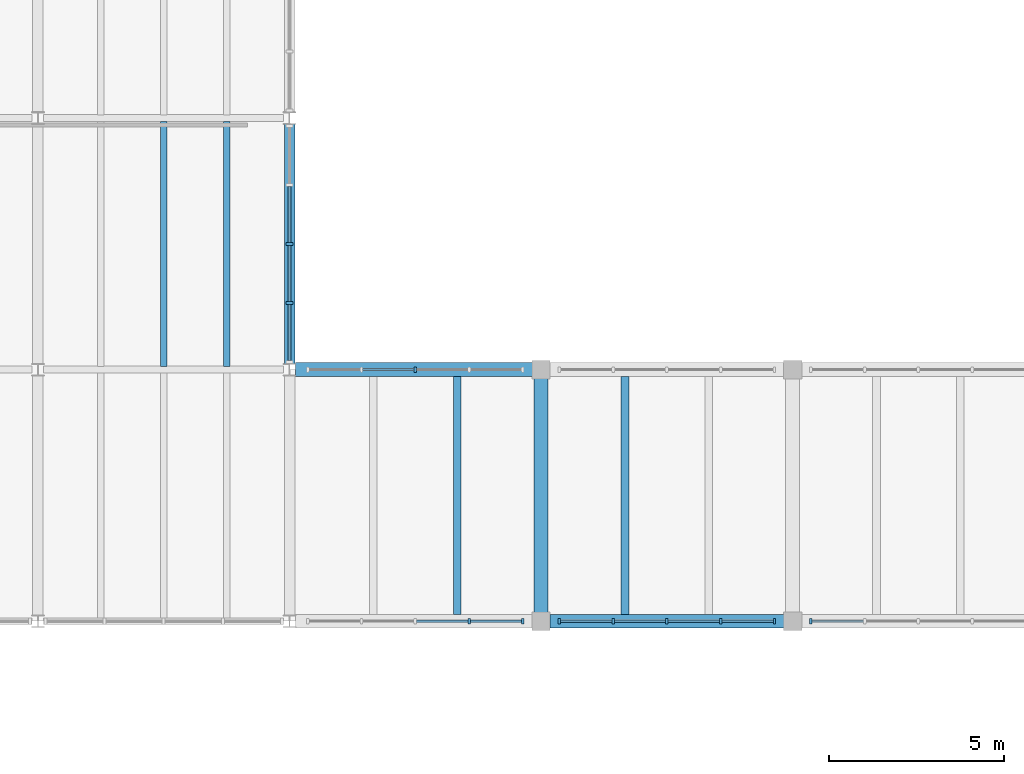
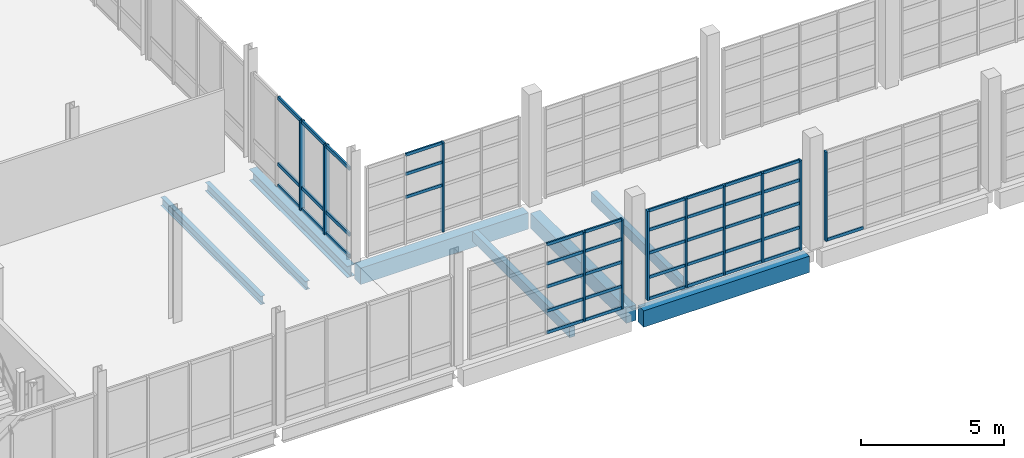
# One storey, part 29 of 77: 54 members, 8 beams, 5 elements without a shape of their own.
"""IFC4 building model written with IfcOpenShell, lengths in metres."""

from ifc_helpers import new_model, si_unit, direction, frame, origin, origin_2d, place, context, subcontext, project, spatial, rectangle, i_section, extrude, material, material_profile, profile_set, type_object, element, aggregate, save


model = new_model("IFC4")

# Units and contexts
model_context = context("Model", 3, precision=1e-05, world=origin(), true_north=direction((0.0, 1.0)))
body_context = subcontext(model_context, "Body", "Model", "MODEL_VIEW")
ifc_project = project(units=[si_unit("LENGTHUNIT", "METRE"), si_unit("AREAUNIT", "SQUARE_METRE"), si_unit("VOLUMEUNIT", "CUBIC_METRE"), si_unit("PLANEANGLEUNIT", "RADIAN"), si_unit("MASSUNIT", "GRAM", prefix="KILO")], contexts=[model_context])

# Site, building, storey
site_placement = place(None, origin())
site = spatial("IfcSite", under=ifc_project, at=site_placement, CompositionType="ELEMENT")
building_placement = place(site_placement, origin())
building = spatial("IfcBuilding", under=site, at=building_placement, Name="Qiaolan Assembly House", CompositionType="ELEMENT")
storey_placement = place(building_placement, frame((0.0, 0.0, 5.39990234375)))
storey = spatial("IfcBuildingStorey", under=building, at=storey_placement, Name="L01", CompositionType="ELEMENT", Elevation=5.39990234375)

# Beams
ifc_material_1 = material(Name="Concrete C40/50", Category="concrete")
ifc_material_profile_1 = material_profile(ifc_material_1, rectangle(XDim=0.39990234375, YDim=0.64990234375, at=origin_2d()), Name="RCB 400x650")
ifc_profile_set_1 = profile_set([ifc_material_profile_1], Name="Concrete C40/50")
beam_type_1 = type_object("IfcBeamType", Name="BM-RC-400x650", PredefinedType="BEAM", material=ifc_profile_set_1)
beam_1_placement = place(storey_placement, frame((115.199951171875, 36.25, -0.594970703125), z_axis=(0.0, 1.0, 0.0), x_axis=(-1.0, 0.0, 0.0)))
element("IfcBeam", 1, at=beam_1_placement, inside=storey, type_object=beam_type_1, Name="GB-06 beam BMY-CLS-L01-01-00", PredefinedType="BEAM", context=body_context, shape_type="SweptSolid", body=[
    extrude(rectangle(XDim=0.39990234375, YDim=0.64990234375, at=origin_2d()), origin(), (0.0, 0.0, 1.0), 6.699951171875),
])
ifc_material_profile_2 = material_profile(ifc_material_1, rectangle(XDim=0.39990234375, YDim=0.699951171875, at=origin_2d()), Name="RCB 400x700")
ifc_profile_set_2 = profile_set([ifc_material_profile_2], Name="Concrete C40/50")
beam_type_2 = type_object("IfcBeamType", Name="BM-RC-400x700", PredefinedType="BEAM", material=ifc_profile_set_2)
beam_2_placement = place(storey_placement, frame((115.449951171875, 36.0, -0.619873046875), z_axis=(1.0, 0.0, 0.0), x_axis=(0.0, 1.0, 0.0)))
element("IfcBeam", 2, at=beam_2_placement, inside=storey, type_object=beam_type_2, Name="GB-05 beam BMX-CLS-L01-01-00", PredefinedType="BEAM", context=body_context, shape_type="SweptSolid", body=[
    extrude(rectangle(XDim=0.39990234375, YDim=0.699951171875, at=origin_2d()), origin(), (0.0, 0.0, 1.0), 6.699951171875),
])
beam_3_placement = place(storey_placement, frame((108.1650390625, 43.199951171875, -0.619873046875), z_axis=(1.0, 0.0, 0.0), x_axis=(0.0, 1.0, 0.0)))
element("IfcBeam", 3, at=beam_3_placement, inside=storey, type_object=beam_type_2, Name="GB-05 beam BMX-CLS-L01-00-01", PredefinedType="BEAM", context=body_context, shape_type="SweptSolid", body=[
    extrude(rectangle(XDim=0.39990234375, YDim=0.699951171875, at=origin_2d()), origin(), (0.0, 0.0, 1.0), 6.784912109375),
])
ifc_material_2 = material(Name="Steel Q355B", Category="steel")
ifc_material_profile_3 = material_profile(ifc_material_2, i_section(OverallWidth=0.300048828125, OverallDepth=0.488037109375, WebThickness=0.010986328125, FlangeThickness=0.01806640625, FilletRadius=0.02001953125, at=origin_2d()), Name="HM 488x300x11x18")
ifc_profile_set_3 = profile_set([ifc_material_profile_3], Name="Steel Q355B")
beam_type_3 = type_object("IfcBeamType", Name="BM-STL-HM488", PredefinedType="BEAM", material=ifc_profile_set_3)
beam_4_placement = place(storey_placement, frame((108.0, 43.364990234375, -0.5439453125), z_axis=(0.0, 1.0, 0.0), x_axis=(-1.0, 0.0, 0.0)))
element("IfcBeam", 4, at=beam_4_placement, inside=storey, type_object=beam_type_3, Name="SB-04 beam BMY-HL-L01-12-01", PredefinedType="BEAM", context=body_context, shape_type="SweptSolid", body=[
    extrude(i_section(OverallWidth=0.300048828125, OverallDepth=0.488037109375, WebThickness=0.010986328125, FlangeThickness=0.01806640625, FilletRadius=0.02001953125, at=origin_2d()), origin(), (0.0, 0.0, 1.0), 6.8701171875),
])

# Curtain wall, members
ifc_material_3 = material(Name="Anodised bronze aluminium", Category="aluminium")
curtain_wall_type_1 = type_object("IfcCurtainWallType", Name="CW-CLOISTER-420", PredefinedType="NOTDEFINED", material=ifc_material_3)
curtain_wall_1_placement = place(storey_placement, origin())
curtain_wall_1 = element("IfcCurtainWall", 5, at=curtain_wall_1_placement, inside=storey, type_object=curtain_wall_type_1, Name="CW-05 South Cloister outer arcade L01-1", PredefinedType="NOTDEFINED")
ifc_material_profile_4 = material_profile(ifc_material_3, rectangle(XDim=0.070068359375, YDim=0.155029296875, at=origin_2d()), Name="MUL 70x155")
ifc_profile_set_4 = profile_set([ifc_material_profile_4], Name="Anodised bronze aluminium")
member_type_1 = type_object("IfcMemberType", Name="CW-CLOISTER-420-MUL", PredefinedType="MULLION", material=ifc_profile_set_4)
member_1_placement = place(storey_placement, frame((113.139892578125, 36.0, 0.0), z_axis=(0.0, 0.0, 1.0), x_axis=(1.0, 0.0, 0.0)))
member_1 = element("IfcMember", 6, at=member_1_placement, type_object=member_type_1, Name="ML-06 mullion CW-CLS-OUT-L01-0-4", PredefinedType="MULLION", context=body_context, shape_type="SweptSolid", body=[
    extrude(rectangle(XDim=0.070068359375, YDim=0.155029296875, at=origin_2d()), origin(), (0.0, 0.0, 1.0), 3.820068359375),
])
member_2_placement = place(storey_placement, frame((114.679931640625, 36.0, 0.0), z_axis=(0.0, 0.0, 1.0), x_axis=(1.0, 0.0, 0.0)))
member_2 = element("IfcMember", 7, at=member_2_placement, type_object=member_type_1, Name="ML-06 mullion CW-CLS-OUT-L01-0-5", PredefinedType="MULLION", context=body_context, shape_type="SweptSolid", body=[
    extrude(rectangle(XDim=0.070068359375, YDim=0.155029296875, at=origin_2d()), origin(), (0.0, 0.0, 1.0), 3.820068359375),
])

# Curtain wall, member
curtain_wall_2_placement = place(storey_placement, origin())
curtain_wall_2 = element("IfcCurtainWall", 8, at=curtain_wall_2_placement, inside=storey, type_object=curtain_wall_type_1, Name="CW-05 South Cloister court arcade L01-1", PredefinedType="NOTDEFINED")
member_3_placement = place(storey_placement, frame((111.60009765625, 43.199951171875, 0.0), z_axis=(0.0, 0.0, 1.0), x_axis=(-1.0, 0.0, 0.0)))
member_3 = element("IfcMember", 9, at=member_3_placement, type_object=member_type_1, Name="ML-06 mullion CW-CLS-CRT-L01-0-3", PredefinedType="MULLION", context=body_context, shape_type="SweptSolid", body=[
    extrude(rectangle(XDim=0.070068359375, YDim=0.155029296875, at=origin_2d()), origin(), (0.0, 0.0, 1.0), 3.820068359375),
])

# Curtain wall, members
curtain_wall_3_placement = place(storey_placement, origin())
curtain_wall_3 = element("IfcCurtainWall", 10, at=curtain_wall_3_placement, inside=storey, type_object=curtain_wall_type_1, Name="CW-05 South Cloister outer arcade L01-2", PredefinedType="NOTDEFINED")
member_4_placement = place(storey_placement, frame((115.719970703125, 36.0, 0.0), z_axis=(0.0, 0.0, 1.0), x_axis=(1.0, 0.0, 0.0)))
member_4 = element("IfcMember", 11, at=member_4_placement, type_object=member_type_1, Name="ML-06 mullion CW-CLS-OUT-L01-1-1", PredefinedType="MULLION", context=body_context, shape_type="SweptSolid", body=[
    extrude(rectangle(XDim=0.070068359375, YDim=0.155029296875, at=origin_2d()), origin(), (0.0, 0.0, 1.0), 3.820068359375),
])
member_5_placement = place(storey_placement, frame((117.260009765625, 36.0, 0.0), z_axis=(0.0, 0.0, 1.0), x_axis=(1.0, 0.0, 0.0)))
member_5 = element("IfcMember", 12, at=member_5_placement, type_object=member_type_1, Name="ML-06 mullion CW-CLS-OUT-L01-1-2", PredefinedType="MULLION", context=body_context, shape_type="SweptSolid", body=[
    extrude(rectangle(XDim=0.070068359375, YDim=0.155029296875, at=origin_2d()), origin(), (0.0, 0.0, 1.0), 3.820068359375),
])
member_6_placement = place(storey_placement, frame((118.800048828125, 36.0, 0.0), z_axis=(0.0, 0.0, 1.0), x_axis=(1.0, 0.0, 0.0)))
member_6 = element("IfcMember", 13, at=member_6_placement, type_object=member_type_1, Name="ML-06 mullion CW-CLS-OUT-L01-1-3", PredefinedType="MULLION", context=body_context, shape_type="SweptSolid", body=[
    extrude(rectangle(XDim=0.070068359375, YDim=0.155029296875, at=origin_2d()), origin(), (0.0, 0.0, 1.0), 3.820068359375),
])
member_7_placement = place(storey_placement, frame((120.340087890625, 36.0, 0.0), z_axis=(0.0, 0.0, 1.0), x_axis=(1.0, 0.0, 0.0)))
member_7 = element("IfcMember", 14, at=member_7_placement, type_object=member_type_1, Name="ML-06 mullion CW-CLS-OUT-L01-1-4", PredefinedType="MULLION", context=body_context, shape_type="SweptSolid", body=[
    extrude(rectangle(XDim=0.070068359375, YDim=0.155029296875, at=origin_2d()), origin(), (0.0, 0.0, 1.0), 3.820068359375),
])
member_8_placement = place(storey_placement, frame((121.8798828125, 36.0, 0.0), z_axis=(0.0, 0.0, 1.0), x_axis=(1.0, 0.0, 0.0)))
member_8 = element("IfcMember", 15, at=member_8_placement, type_object=member_type_1, Name="ML-06 mullion CW-CLS-OUT-L01-1-5", PredefinedType="MULLION", context=body_context, shape_type="SweptSolid", body=[
    extrude(rectangle(XDim=0.070068359375, YDim=0.155029296875, at=origin_2d()), origin(), (0.0, 0.0, 1.0), 3.820068359375),
])

# Curtain wall, member
curtain_wall_4_placement = place(storey_placement, origin())
curtain_wall_4 = element("IfcCurtainWall", 16, at=curtain_wall_4_placement, inside=storey, type_object=curtain_wall_type_1, Name="CW-05 South Cloister outer arcade L01-3", PredefinedType="NOTDEFINED")
member_9_placement = place(storey_placement, frame((122.919921875, 36.0, 0.0), z_axis=(0.0, 0.0, 1.0), x_axis=(1.0, 0.0, 0.0)))
member_9 = element("IfcMember", 17, at=member_9_placement, type_object=member_type_1, Name="ML-06 mullion CW-CLS-OUT-L01-2-1", PredefinedType="MULLION", context=body_context, shape_type="SweptSolid", body=[
    extrude(rectangle(XDim=0.070068359375, YDim=0.155029296875, at=origin_2d()), origin(), (0.0, 0.0, 1.0), 3.820068359375),
])

# Member
ifc_material_profile_5 = material_profile(ifc_material_3, rectangle(XDim=0.06201171875, YDim=0.125, at=origin_2d()), Name="TRN 62x125")
ifc_profile_set_5 = profile_set([ifc_material_profile_5], Name="Anodised bronze aluminium")
member_type_2 = type_object("IfcMemberType", Name="CW-CLOISTER-420-TRN", PredefinedType="USERDEFINED", material=ifc_profile_set_5)
member_10_placement = place(storey_placement, frame((111.635009765625, 36.0, 0.030029296875), z_axis=(1.0, 0.0, 0.0), x_axis=(0.0, 1.0, 0.0)))
member_10 = element("IfcMember", 18, at=member_10_placement, type_object=member_type_2, Name="TR-06 transom CW-CLS-OUT-L01-0-3-1", ObjectType="TRANSOM", PredefinedType="USERDEFINED", context=body_context, shape_type="SweptSolid", body=[
    extrude(rectangle(XDim=0.06201171875, YDim=0.125, at=origin_2d()), origin(), (0.0, 0.0, 1.0), 1.469970703125),
])

member_11_placement = place(storey_placement, frame((111.635009765625, 36.0, 0.9501953125), z_axis=(1.0, 0.0, 0.0), x_axis=(0.0, 1.0, 0.0)))
member_11 = element("IfcMember", 19, at=member_11_placement, type_object=member_type_2, Name="TR-06 transom CW-CLS-OUT-L01-0-3-2", ObjectType="TRANSOM", PredefinedType="USERDEFINED", context=body_context, shape_type="SweptSolid", body=[
    extrude(rectangle(XDim=0.06201171875, YDim=0.125, at=origin_2d()), origin(), (0.0, 0.0, 1.0), 1.469970703125),
])

member_12_placement = place(storey_placement, frame((111.635009765625, 36.0, 1.986572265625), z_axis=(1.0, 0.0, 0.0), x_axis=(0.0, 1.0, 0.0)))
member_12 = element("IfcMember", 20, at=member_12_placement, type_object=member_type_2, Name="TR-06 transom CW-CLS-OUT-L01-0-3-3", ObjectType="TRANSOM", PredefinedType="USERDEFINED", context=body_context, shape_type="SweptSolid", body=[
    extrude(rectangle(XDim=0.06201171875, YDim=0.125, at=origin_2d()), origin(), (0.0, 0.0, 1.0), 1.469970703125),
])

member_13_placement = place(storey_placement, frame((111.635009765625, 36.0, 2.97021484375), z_axis=(1.0, 0.0, 0.0), x_axis=(0.0, 1.0, 0.0)))
member_13 = element("IfcMember", 21, at=member_13_placement, type_object=member_type_2, Name="TR-06 transom CW-CLS-OUT-L01-0-3-4", ObjectType="TRANSOM", PredefinedType="USERDEFINED", context=body_context, shape_type="SweptSolid", body=[
    extrude(rectangle(XDim=0.06201171875, YDim=0.125, at=origin_2d()), origin(), (0.0, 0.0, 1.0), 1.469970703125),
])

member_14_placement = place(storey_placement, frame((111.635009765625, 36.0, 3.7900390625), z_axis=(1.0, 0.0, 0.0), x_axis=(0.0, 1.0, 0.0)))
member_14 = element("IfcMember", 22, at=member_14_placement, type_object=member_type_2, Name="TR-06 transom CW-CLS-OUT-L01-0-3-5", ObjectType="TRANSOM", PredefinedType="USERDEFINED", context=body_context, shape_type="SweptSolid", body=[
    extrude(rectangle(XDim=0.06201171875, YDim=0.125, at=origin_2d()), origin(), (0.0, 0.0, 1.0), 1.469970703125),
])

member_15_placement = place(storey_placement, frame((113.175048828125, 36.0, 0.030029296875), z_axis=(1.0, 0.0, 0.0), x_axis=(0.0, 1.0, 0.0)))
member_15 = element("IfcMember", 23, at=member_15_placement, type_object=member_type_2, Name="TR-06 transom CW-CLS-OUT-L01-0-4-1", ObjectType="TRANSOM", PredefinedType="USERDEFINED", context=body_context, shape_type="SweptSolid", body=[
    extrude(rectangle(XDim=0.06201171875, YDim=0.125, at=origin_2d()), origin(), (0.0, 0.0, 1.0), 1.469970703125),
])

member_16_placement = place(storey_placement, frame((113.175048828125, 36.0, 0.9501953125), z_axis=(1.0, 0.0, 0.0), x_axis=(0.0, 1.0, 0.0)))
member_16 = element("IfcMember", 24, at=member_16_placement, type_object=member_type_2, Name="TR-06 transom CW-CLS-OUT-L01-0-4-2", ObjectType="TRANSOM", PredefinedType="USERDEFINED", context=body_context, shape_type="SweptSolid", body=[
    extrude(rectangle(XDim=0.06201171875, YDim=0.125, at=origin_2d()), origin(), (0.0, 0.0, 1.0), 1.469970703125),
])

member_17_placement = place(storey_placement, frame((113.175048828125, 36.0, 1.986572265625), z_axis=(1.0, 0.0, 0.0), x_axis=(0.0, 1.0, 0.0)))
member_17 = element("IfcMember", 25, at=member_17_placement, type_object=member_type_2, Name="TR-06 transom CW-CLS-OUT-L01-0-4-3", ObjectType="TRANSOM", PredefinedType="USERDEFINED", context=body_context, shape_type="SweptSolid", body=[
    extrude(rectangle(XDim=0.06201171875, YDim=0.125, at=origin_2d()), origin(), (0.0, 0.0, 1.0), 1.469970703125),
])

member_18_placement = place(storey_placement, frame((113.175048828125, 36.0, 2.97021484375), z_axis=(1.0, 0.0, 0.0), x_axis=(0.0, 1.0, 0.0)))
member_18 = element("IfcMember", 26, at=member_18_placement, type_object=member_type_2, Name="TR-06 transom CW-CLS-OUT-L01-0-4-4", ObjectType="TRANSOM", PredefinedType="USERDEFINED", context=body_context, shape_type="SweptSolid", body=[
    extrude(rectangle(XDim=0.06201171875, YDim=0.125, at=origin_2d()), origin(), (0.0, 0.0, 1.0), 1.469970703125),
])

member_19_placement = place(storey_placement, frame((113.175048828125, 36.0, 3.7900390625), z_axis=(1.0, 0.0, 0.0), x_axis=(0.0, 1.0, 0.0)))
member_19 = element("IfcMember", 27, at=member_19_placement, type_object=member_type_2, Name="TR-06 transom CW-CLS-OUT-L01-0-4-5", ObjectType="TRANSOM", PredefinedType="USERDEFINED", context=body_context, shape_type="SweptSolid", body=[
    extrude(rectangle(XDim=0.06201171875, YDim=0.125, at=origin_2d()), origin(), (0.0, 0.0, 1.0), 1.469970703125),
])

aggregate(curtain_wall_1, [member_1, member_2, member_10, member_11, member_12, member_13, member_14, member_15, member_16, member_17, member_18, member_19])

member_20_placement = place(storey_placement, frame((111.56494140625, 43.199951171875, 1.986572265625), z_axis=(-1.0, 0.0, 0.0), x_axis=(0.0, -1.0, 0.0)))
member_20 = element("IfcMember", 28, at=member_20_placement, type_object=member_type_2, Name="TR-06 transom CW-CLS-CRT-L01-0-3-3", ObjectType="TRANSOM", PredefinedType="USERDEFINED", context=body_context, shape_type="SweptSolid", body=[
    extrude(rectangle(XDim=0.06201171875, YDim=0.125, at=origin_2d()), origin(), (0.0, 0.0, 1.0), 1.469970703125),
])

member_21_placement = place(storey_placement, frame((111.56494140625, 43.199951171875, 2.97021484375), z_axis=(-1.0, 0.0, 0.0), x_axis=(0.0, -1.0, 0.0)))
member_21 = element("IfcMember", 29, at=member_21_placement, type_object=member_type_2, Name="TR-06 transom CW-CLS-CRT-L01-0-3-4", ObjectType="TRANSOM", PredefinedType="USERDEFINED", context=body_context, shape_type="SweptSolid", body=[
    extrude(rectangle(XDim=0.06201171875, YDim=0.125, at=origin_2d()), origin(), (0.0, 0.0, 1.0), 1.469970703125),
])

member_22_placement = place(storey_placement, frame((111.56494140625, 43.199951171875, 3.7900390625), z_axis=(-1.0, 0.0, 0.0), x_axis=(0.0, -1.0, 0.0)))
member_22 = element("IfcMember", 30, at=member_22_placement, type_object=member_type_2, Name="TR-06 transom CW-CLS-CRT-L01-0-3-5", ObjectType="TRANSOM", PredefinedType="USERDEFINED", context=body_context, shape_type="SweptSolid", body=[
    extrude(rectangle(XDim=0.06201171875, YDim=0.125, at=origin_2d()), origin(), (0.0, 0.0, 1.0), 1.469970703125),
])

aggregate(curtain_wall_2, [member_3, member_20, member_21, member_22])

member_23_placement = place(storey_placement, frame((115.7548828125, 36.0, 0.030029296875), z_axis=(1.0, 0.0, 0.0), x_axis=(0.0, 1.0, 0.0)))
member_23 = element("IfcMember", 31, at=member_23_placement, type_object=member_type_2, Name="TR-06 transom CW-CLS-OUT-L01-1-1-1", ObjectType="TRANSOM", PredefinedType="USERDEFINED", context=body_context, shape_type="SweptSolid", body=[
    extrude(rectangle(XDim=0.06201171875, YDim=0.125, at=origin_2d()), origin(), (0.0, 0.0, 1.0), 1.47021484375),
])

member_24_placement = place(storey_placement, frame((115.7548828125, 36.0, 0.9501953125), z_axis=(1.0, 0.0, 0.0), x_axis=(0.0, 1.0, 0.0)))
member_24 = element("IfcMember", 32, at=member_24_placement, type_object=member_type_2, Name="TR-06 transom CW-CLS-OUT-L01-1-1-2", ObjectType="TRANSOM", PredefinedType="USERDEFINED", context=body_context, shape_type="SweptSolid", body=[
    extrude(rectangle(XDim=0.06201171875, YDim=0.125, at=origin_2d()), origin(), (0.0, 0.0, 1.0), 1.47021484375),
])

member_25_placement = place(storey_placement, frame((115.7548828125, 36.0, 1.986572265625), z_axis=(1.0, 0.0, 0.0), x_axis=(0.0, 1.0, 0.0)))
member_25 = element("IfcMember", 33, at=member_25_placement, type_object=member_type_2, Name="TR-06 transom CW-CLS-OUT-L01-1-1-3", ObjectType="TRANSOM", PredefinedType="USERDEFINED", context=body_context, shape_type="SweptSolid", body=[
    extrude(rectangle(XDim=0.06201171875, YDim=0.125, at=origin_2d()), origin(), (0.0, 0.0, 1.0), 1.47021484375),
])

member_26_placement = place(storey_placement, frame((115.7548828125, 36.0, 2.97021484375), z_axis=(1.0, 0.0, 0.0), x_axis=(0.0, 1.0, 0.0)))
member_26 = element("IfcMember", 34, at=member_26_placement, type_object=member_type_2, Name="TR-06 transom CW-CLS-OUT-L01-1-1-4", ObjectType="TRANSOM", PredefinedType="USERDEFINED", context=body_context, shape_type="SweptSolid", body=[
    extrude(rectangle(XDim=0.06201171875, YDim=0.125, at=origin_2d()), origin(), (0.0, 0.0, 1.0), 1.47021484375),
])

member_27_placement = place(storey_placement, frame((115.7548828125, 36.0, 3.7900390625), z_axis=(1.0, 0.0, 0.0), x_axis=(0.0, 1.0, 0.0)))
member_27 = element("IfcMember", 35, at=member_27_placement, type_object=member_type_2, Name="TR-06 transom CW-CLS-OUT-L01-1-1-5", ObjectType="TRANSOM", PredefinedType="USERDEFINED", context=body_context, shape_type="SweptSolid", body=[
    extrude(rectangle(XDim=0.06201171875, YDim=0.125, at=origin_2d()), origin(), (0.0, 0.0, 1.0), 1.47021484375),
])

member_28_placement = place(storey_placement, frame((117.294921875, 36.0, 0.030029296875), z_axis=(1.0, 0.0, 0.0), x_axis=(0.0, 1.0, 0.0)))
member_28 = element("IfcMember", 36, at=member_28_placement, type_object=member_type_2, Name="TR-06 transom CW-CLS-OUT-L01-1-2-1", ObjectType="TRANSOM", PredefinedType="USERDEFINED", context=body_context, shape_type="SweptSolid", body=[
    extrude(rectangle(XDim=0.06201171875, YDim=0.125, at=origin_2d()), origin(), (0.0, 0.0, 1.0), 1.469970703125),
])

member_29_placement = place(storey_placement, frame((117.294921875, 36.0, 0.9501953125), z_axis=(1.0, 0.0, 0.0), x_axis=(0.0, 1.0, 0.0)))
member_29 = element("IfcMember", 37, at=member_29_placement, type_object=member_type_2, Name="TR-06 transom CW-CLS-OUT-L01-1-2-2", ObjectType="TRANSOM", PredefinedType="USERDEFINED", context=body_context, shape_type="SweptSolid", body=[
    extrude(rectangle(XDim=0.06201171875, YDim=0.125, at=origin_2d()), origin(), (0.0, 0.0, 1.0), 1.469970703125),
])

member_30_placement = place(storey_placement, frame((117.294921875, 36.0, 1.986572265625), z_axis=(1.0, 0.0, 0.0), x_axis=(0.0, 1.0, 0.0)))
member_30 = element("IfcMember", 38, at=member_30_placement, type_object=member_type_2, Name="TR-06 transom CW-CLS-OUT-L01-1-2-3", ObjectType="TRANSOM", PredefinedType="USERDEFINED", context=body_context, shape_type="SweptSolid", body=[
    extrude(rectangle(XDim=0.06201171875, YDim=0.125, at=origin_2d()), origin(), (0.0, 0.0, 1.0), 1.469970703125),
])

member_31_placement = place(storey_placement, frame((117.294921875, 36.0, 2.97021484375), z_axis=(1.0, 0.0, 0.0), x_axis=(0.0, 1.0, 0.0)))
member_31 = element("IfcMember", 39, at=member_31_placement, type_object=member_type_2, Name="TR-06 transom CW-CLS-OUT-L01-1-2-4", ObjectType="TRANSOM", PredefinedType="USERDEFINED", context=body_context, shape_type="SweptSolid", body=[
    extrude(rectangle(XDim=0.06201171875, YDim=0.125, at=origin_2d()), origin(), (0.0, 0.0, 1.0), 1.469970703125),
])

member_32_placement = place(storey_placement, frame((117.294921875, 36.0, 3.7900390625), z_axis=(1.0, 0.0, 0.0), x_axis=(0.0, 1.0, 0.0)))
member_32 = element("IfcMember", 40, at=member_32_placement, type_object=member_type_2, Name="TR-06 transom CW-CLS-OUT-L01-1-2-5", ObjectType="TRANSOM", PredefinedType="USERDEFINED", context=body_context, shape_type="SweptSolid", body=[
    extrude(rectangle(XDim=0.06201171875, YDim=0.125, at=origin_2d()), origin(), (0.0, 0.0, 1.0), 1.469970703125),
])

member_33_placement = place(storey_placement, frame((118.8349609375, 36.0, 0.030029296875), z_axis=(1.0, 0.0, 0.0), x_axis=(0.0, 1.0, 0.0)))
member_33 = element("IfcMember", 41, at=member_33_placement, type_object=member_type_2, Name="TR-06 transom CW-CLS-OUT-L01-1-3-1", ObjectType="TRANSOM", PredefinedType="USERDEFINED", context=body_context, shape_type="SweptSolid", body=[
    extrude(rectangle(XDim=0.06201171875, YDim=0.125, at=origin_2d()), origin(), (0.0, 0.0, 1.0), 1.469970703125),
])

member_34_placement = place(storey_placement, frame((118.8349609375, 36.0, 0.9501953125), z_axis=(1.0, 0.0, 0.0), x_axis=(0.0, 1.0, 0.0)))
member_34 = element("IfcMember", 42, at=member_34_placement, type_object=member_type_2, Name="TR-06 transom CW-CLS-OUT-L01-1-3-2", ObjectType="TRANSOM", PredefinedType="USERDEFINED", context=body_context, shape_type="SweptSolid", body=[
    extrude(rectangle(XDim=0.06201171875, YDim=0.125, at=origin_2d()), origin(), (0.0, 0.0, 1.0), 1.469970703125),
])

member_35_placement = place(storey_placement, frame((118.8349609375, 36.0, 1.986572265625), z_axis=(1.0, 0.0, 0.0), x_axis=(0.0, 1.0, 0.0)))
member_35 = element("IfcMember", 43, at=member_35_placement, type_object=member_type_2, Name="TR-06 transom CW-CLS-OUT-L01-1-3-3", ObjectType="TRANSOM", PredefinedType="USERDEFINED", context=body_context, shape_type="SweptSolid", body=[
    extrude(rectangle(XDim=0.06201171875, YDim=0.125, at=origin_2d()), origin(), (0.0, 0.0, 1.0), 1.469970703125),
])

member_36_placement = place(storey_placement, frame((118.8349609375, 36.0, 2.97021484375), z_axis=(1.0, 0.0, 0.0), x_axis=(0.0, 1.0, 0.0)))
member_36 = element("IfcMember", 44, at=member_36_placement, type_object=member_type_2, Name="TR-06 transom CW-CLS-OUT-L01-1-3-4", ObjectType="TRANSOM", PredefinedType="USERDEFINED", context=body_context, shape_type="SweptSolid", body=[
    extrude(rectangle(XDim=0.06201171875, YDim=0.125, at=origin_2d()), origin(), (0.0, 0.0, 1.0), 1.469970703125),
])

member_37_placement = place(storey_placement, frame((118.8349609375, 36.0, 3.7900390625), z_axis=(1.0, 0.0, 0.0), x_axis=(0.0, 1.0, 0.0)))
member_37 = element("IfcMember", 45, at=member_37_placement, type_object=member_type_2, Name="TR-06 transom CW-CLS-OUT-L01-1-3-5", ObjectType="TRANSOM", PredefinedType="USERDEFINED", context=body_context, shape_type="SweptSolid", body=[
    extrude(rectangle(XDim=0.06201171875, YDim=0.125, at=origin_2d()), origin(), (0.0, 0.0, 1.0), 1.469970703125),
])

member_38_placement = place(storey_placement, frame((120.375, 36.0, 0.030029296875), z_axis=(1.0, 0.0, 0.0), x_axis=(0.0, 1.0, 0.0)))
member_38 = element("IfcMember", 46, at=member_38_placement, type_object=member_type_2, Name="TR-06 transom CW-CLS-OUT-L01-1-4-1", ObjectType="TRANSOM", PredefinedType="USERDEFINED", context=body_context, shape_type="SweptSolid", body=[
    extrude(rectangle(XDim=0.06201171875, YDim=0.125, at=origin_2d()), origin(), (0.0, 0.0, 1.0), 1.469970703125),
])

member_39_placement = place(storey_placement, frame((120.375, 36.0, 0.9501953125), z_axis=(1.0, 0.0, 0.0), x_axis=(0.0, 1.0, 0.0)))
member_39 = element("IfcMember", 47, at=member_39_placement, type_object=member_type_2, Name="TR-06 transom CW-CLS-OUT-L01-1-4-2", ObjectType="TRANSOM", PredefinedType="USERDEFINED", context=body_context, shape_type="SweptSolid", body=[
    extrude(rectangle(XDim=0.06201171875, YDim=0.125, at=origin_2d()), origin(), (0.0, 0.0, 1.0), 1.469970703125),
])

member_40_placement = place(storey_placement, frame((120.375, 36.0, 1.986572265625), z_axis=(1.0, 0.0, 0.0), x_axis=(0.0, 1.0, 0.0)))
member_40 = element("IfcMember", 48, at=member_40_placement, type_object=member_type_2, Name="TR-06 transom CW-CLS-OUT-L01-1-4-3", ObjectType="TRANSOM", PredefinedType="USERDEFINED", context=body_context, shape_type="SweptSolid", body=[
    extrude(rectangle(XDim=0.06201171875, YDim=0.125, at=origin_2d()), origin(), (0.0, 0.0, 1.0), 1.469970703125),
])

member_41_placement = place(storey_placement, frame((120.375, 36.0, 2.97021484375), z_axis=(1.0, 0.0, 0.0), x_axis=(0.0, 1.0, 0.0)))
member_41 = element("IfcMember", 49, at=member_41_placement, type_object=member_type_2, Name="TR-06 transom CW-CLS-OUT-L01-1-4-4", ObjectType="TRANSOM", PredefinedType="USERDEFINED", context=body_context, shape_type="SweptSolid", body=[
    extrude(rectangle(XDim=0.06201171875, YDim=0.125, at=origin_2d()), origin(), (0.0, 0.0, 1.0), 1.469970703125),
])

member_42_placement = place(storey_placement, frame((120.375, 36.0, 3.7900390625), z_axis=(1.0, 0.0, 0.0), x_axis=(0.0, 1.0, 0.0)))
member_42 = element("IfcMember", 50, at=member_42_placement, type_object=member_type_2, Name="TR-06 transom CW-CLS-OUT-L01-1-4-5", ObjectType="TRANSOM", PredefinedType="USERDEFINED", context=body_context, shape_type="SweptSolid", body=[
    extrude(rectangle(XDim=0.06201171875, YDim=0.125, at=origin_2d()), origin(), (0.0, 0.0, 1.0), 1.469970703125),
])

aggregate(curtain_wall_3, [member_4, member_5, member_6, member_7, member_8, member_23, member_24, member_25, member_26, member_27, member_28, member_29, member_30, member_31, member_32, member_33, member_34, member_35, member_36, member_37, member_38, member_39, member_40, member_41, member_42])

member_43_placement = place(storey_placement, frame((122.955078125, 36.0, 0.030029296875), z_axis=(1.0, 0.0, 0.0), x_axis=(0.0, 1.0, 0.0)))
member_43 = element("IfcMember", 51, at=member_43_placement, type_object=member_type_2, Name="TR-06 transom CW-CLS-OUT-L01-2-1-1", ObjectType="TRANSOM", PredefinedType="USERDEFINED", context=body_context, shape_type="SweptSolid", body=[
    extrude(rectangle(XDim=0.06201171875, YDim=0.125, at=origin_2d()), origin(), (0.0, 0.0, 1.0), 1.469970703125),
])

aggregate(curtain_wall_4, [member_9, member_43])

# Curtain wall, members
curtain_wall_type_2 = type_object("IfcCurtainWallType", Name="CW-HALL-UPPER-480", PredefinedType="NOTDEFINED", material=ifc_material_3)
curtain_wall_5_placement = place(storey_placement, origin())
curtain_wall_5 = element("IfcCurtainWall", 52, at=curtain_wall_5_placement, inside=storey, type_object=curtain_wall_type_2, Name="CW-01 Hall East court curtain wall L01-1", PredefinedType="NOTDEFINED")
ifc_material_profile_6 = material_profile(ifc_material_3, rectangle(XDim=0.0859375, YDim=0.199951171875, at=origin_2d()), Name="MUL 86x200")
ifc_profile_set_6 = profile_set([ifc_material_profile_6], Name="Anodised bronze aluminium")
member_type_3 = type_object("IfcMemberType", Name="CW-HALL-UPPER-480-MUL", PredefinedType="MULLION", material=ifc_profile_set_6)
member_44_placement = place(storey_placement, frame((108.0, 46.800048828125, 0.0), z_axis=(0.0, 0.0, 1.0), x_axis=(0.0, -1.0, 0.0)))
member_44 = element("IfcMember", 53, at=member_44_placement, type_object=member_type_3, Name="ML-02 mullion CW-HALL-E-L01-00-3", PredefinedType="MULLION", context=body_context, shape_type="SweptSolid", body=[
    extrude(rectangle(XDim=0.0859375, YDim=0.199951171875, at=origin_2d()), origin(), (0.0, 0.0, 1.0), 3.800048828125),
])
member_45_placement = place(storey_placement, frame((108.0, 45.110107421875, 0.0), z_axis=(0.0, 0.0, 1.0), x_axis=(0.0, -1.0, 0.0)))
member_45 = element("IfcMember", 54, at=member_45_placement, type_object=member_type_3, Name="ML-02 mullion CW-HALL-E-L01-00-4", PredefinedType="MULLION", context=body_context, shape_type="SweptSolid", body=[
    extrude(rectangle(XDim=0.0859375, YDim=0.199951171875, at=origin_2d()), origin(), (0.0, 0.0, 1.0), 3.800048828125),
])
ifc_material_profile_7 = material_profile(ifc_material_3, rectangle(XDim=0.075927734375, YDim=0.14990234375, at=origin_2d()), Name="TRN 76x150")
ifc_profile_set_7 = profile_set([ifc_material_profile_7], Name="Anodised bronze aluminium")
member_type_4 = type_object("IfcMemberType", Name="CW-HALL-UPPER-480-TRN", PredefinedType="USERDEFINED", material=ifc_profile_set_7)
member_46_placement = place(storey_placement, frame((108.0, 48.447021484375, 0.030029296875), z_axis=(0.0, -1.0, 0.0), x_axis=(1.0, 0.0, 0.0)))
member_46 = element("IfcMember", 55, at=member_46_placement, type_object=member_type_4, Name="TR-02 transom CW-HALL-E-L01-00-2-1", ObjectType="TRANSOM", PredefinedType="USERDEFINED", context=body_context, shape_type="SweptSolid", body=[
    extrude(rectangle(XDim=0.075927734375, YDim=0.14990234375, at=origin_2d()), origin(), (0.0, 0.0, 1.0), 1.60400390625),
])
member_47_placement = place(storey_placement, frame((108.0, 48.447021484375, 0.9501953125), z_axis=(0.0, -1.0, 0.0), x_axis=(1.0, 0.0, 0.0)))
member_47 = element("IfcMember", 56, at=member_47_placement, type_object=member_type_4, Name="TR-02 transom CW-HALL-E-L01-00-2-2", ObjectType="TRANSOM", PredefinedType="USERDEFINED", context=body_context, shape_type="SweptSolid", body=[
    extrude(rectangle(XDim=0.075927734375, YDim=0.14990234375, at=origin_2d()), origin(), (0.0, 0.0, 1.0), 1.60400390625),
])
member_48_placement = place(storey_placement, frame((108.0, 48.447021484375, 3.77001953125), z_axis=(0.0, -1.0, 0.0), x_axis=(1.0, 0.0, 0.0)))
member_48 = element("IfcMember", 57, at=member_48_placement, type_object=member_type_4, Name="TR-02 transom CW-HALL-E-L01-00-2-3", ObjectType="TRANSOM", PredefinedType="USERDEFINED", context=body_context, shape_type="SweptSolid", body=[
    extrude(rectangle(XDim=0.075927734375, YDim=0.14990234375, at=origin_2d()), origin(), (0.0, 0.0, 1.0), 1.60400390625),
])
member_49_placement = place(storey_placement, frame((108.0, 46.757080078125, 0.030029296875), z_axis=(0.0, -1.0, 0.0), x_axis=(1.0, 0.0, 0.0)))
member_49 = element("IfcMember", 58, at=member_49_placement, type_object=member_type_4, Name="TR-02 transom CW-HALL-E-L01-00-3-1", ObjectType="TRANSOM", PredefinedType="USERDEFINED", context=body_context, shape_type="SweptSolid", body=[
    extrude(rectangle(XDim=0.075927734375, YDim=0.14990234375, at=origin_2d()), origin(), (0.0, 0.0, 1.0), 1.60400390625),
])
member_50_placement = place(storey_placement, frame((108.0, 46.757080078125, 0.9501953125), z_axis=(0.0, -1.0, 0.0), x_axis=(1.0, 0.0, 0.0)))
member_50 = element("IfcMember", 59, at=member_50_placement, type_object=member_type_4, Name="TR-02 transom CW-HALL-E-L01-00-3-2", ObjectType="TRANSOM", PredefinedType="USERDEFINED", context=body_context, shape_type="SweptSolid", body=[
    extrude(rectangle(XDim=0.075927734375, YDim=0.14990234375, at=origin_2d()), origin(), (0.0, 0.0, 1.0), 1.60400390625),
])
member_51_placement = place(storey_placement, frame((108.0, 46.757080078125, 3.77001953125), z_axis=(0.0, -1.0, 0.0), x_axis=(1.0, 0.0, 0.0)))
member_51 = element("IfcMember", 60, at=member_51_placement, type_object=member_type_4, Name="TR-02 transom CW-HALL-E-L01-00-3-3", ObjectType="TRANSOM", PredefinedType="USERDEFINED", context=body_context, shape_type="SweptSolid", body=[
    extrude(rectangle(XDim=0.075927734375, YDim=0.14990234375, at=origin_2d()), origin(), (0.0, 0.0, 1.0), 1.60400390625),
])
member_52_placement = place(storey_placement, frame((108.0, 45.06689453125, 0.030029296875), z_axis=(0.0, -1.0, 0.0), x_axis=(1.0, 0.0, 0.0)))
member_52 = element("IfcMember", 61, at=member_52_placement, type_object=member_type_4, Name="TR-02 transom CW-HALL-E-L01-00-4-1", ObjectType="TRANSOM", PredefinedType="USERDEFINED", context=body_context, shape_type="SweptSolid", body=[
    extrude(rectangle(XDim=0.075927734375, YDim=0.14990234375, at=origin_2d()), origin(), (0.0, 0.0, 1.0), 1.60400390625),
])
member_53_placement = place(storey_placement, frame((108.0, 45.06689453125, 0.9501953125), z_axis=(0.0, -1.0, 0.0), x_axis=(1.0, 0.0, 0.0)))
member_53 = element("IfcMember", 62, at=member_53_placement, type_object=member_type_4, Name="TR-02 transom CW-HALL-E-L01-00-4-2", ObjectType="TRANSOM", PredefinedType="USERDEFINED", context=body_context, shape_type="SweptSolid", body=[
    extrude(rectangle(XDim=0.075927734375, YDim=0.14990234375, at=origin_2d()), origin(), (0.0, 0.0, 1.0), 1.60400390625),
])
member_54_placement = place(storey_placement, frame((108.0, 45.06689453125, 3.77001953125), z_axis=(0.0, -1.0, 0.0), x_axis=(1.0, 0.0, 0.0)))
member_54 = element("IfcMember", 63, at=member_54_placement, type_object=member_type_4, Name="TR-02 transom CW-HALL-E-L01-00-4-3", ObjectType="TRANSOM", PredefinedType="USERDEFINED", context=body_context, shape_type="SweptSolid", body=[
    extrude(rectangle(XDim=0.075927734375, YDim=0.14990234375, at=origin_2d()), origin(), (0.0, 0.0, 1.0), 1.60400390625),
])
aggregate(curtain_wall_5, [member_44, member_45, member_46, member_47, member_48, member_49, member_50, member_51, member_52, member_53, member_54])

# Beams
ifc_material_profile_8 = material_profile(ifc_material_1, rectangle(XDim=0.219970703125, YDim=0.419921875, at=origin_2d()), Name="RCB 220x420")
ifc_profile_set_8 = profile_set([ifc_material_profile_8], Name="Concrete C40/50")
beam_type_4 = type_object("IfcBeamType", Name="JST-RC-220x420", PredefinedType="JOIST", material=ifc_profile_set_8)
for number, where, z_axis, x_axis, name in (
    (64, (112.800048828125, 36.194091796875, -0.47998046875), (0.0, 1.0, 0.0), (-1.0, 0.0, 0.0), "RJ-03 beam JST-CLS-L01-00-00-2"),
    (65, (117.60009765625, 36.194091796875, -0.47998046875), (0.0, 1.0, 0.0), (-1.0, 0.0, 0.0), "RJ-03 beam JST-CLS-L01-01-00-1"),
):
    element("IfcBeam", number, at=place(storey_placement, frame(where, z_axis=z_axis, x_axis=x_axis)), inside=storey, type_object=beam_type_4, Name=name, PredefinedType="JOIST", context=body_context, shape_type="SweptSolid", body=[
        extrude(rectangle(XDim=0.219970703125, YDim=0.419921875, at=origin_2d()), origin(), (0.0, 0.0, 1.0), 6.81201171875),
    ])
ifc_material_profile_9 = material_profile(ifc_material_2, i_section(OverallWidth=0.179931640625, OverallDepth=0.360107421875, WebThickness=0.008056640625, FlangeThickness=0.011962890625, FilletRadius=0.013916015625, at=origin_2d()), Name="HN 360x180x8x12")
ifc_profile_set_9 = profile_set([ifc_material_profile_9], Name="Steel Q355B")
beam_type_5 = type_object("IfcBeamType", Name="JST-STL-HN360", PredefinedType="JOIST", material=ifc_profile_set_9)
for number, where, z_axis, x_axis, name in (
    (66, (104.39990234375, 43.2939453125, -0.47998046875), (0.0, 1.0, 0.0), (-1.0, 0.0, 0.0), "SJ-06 beam JST-HL-L01-11-01-2"),
    (67, (106.199951171875, 43.2939453125, -0.47998046875), (0.0, 1.0, 0.0), (-1.0, 0.0, 0.0), "SJ-06 beam JST-HL-L01-11-01-3"),
):
    element("IfcBeam", number, at=place(storey_placement, frame(where, z_axis=z_axis, x_axis=x_axis)), inside=storey, type_object=beam_type_5, Name=name, PredefinedType="JOIST", context=body_context, shape_type="SweptSolid", body=[
        extrude(i_section(OverallWidth=0.179931640625, OverallDepth=0.360107421875, WebThickness=0.008056640625, FlangeThickness=0.011962890625, FilletRadius=0.013916015625, at=origin_2d()), origin(), (0.0, 0.0, 1.0), 7.011962890625),
    ])

save(model, "model.ifc")
